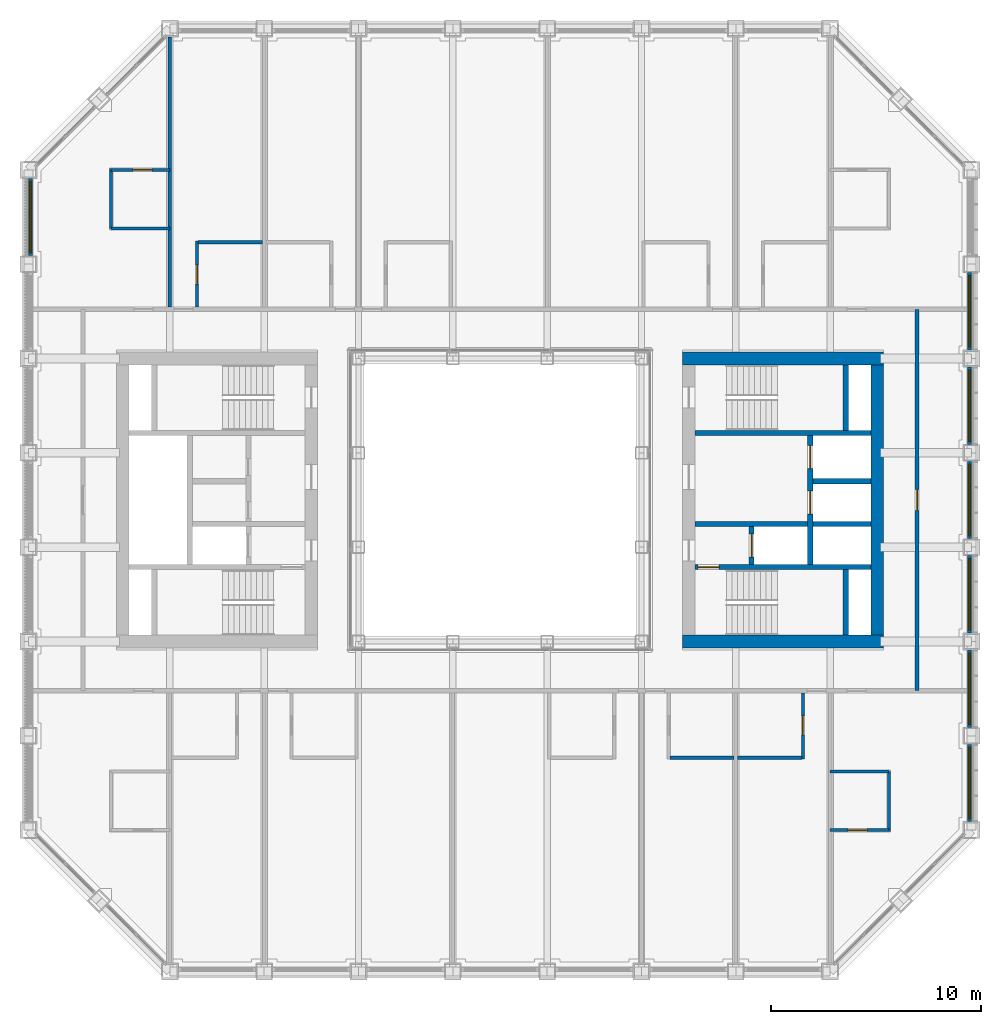
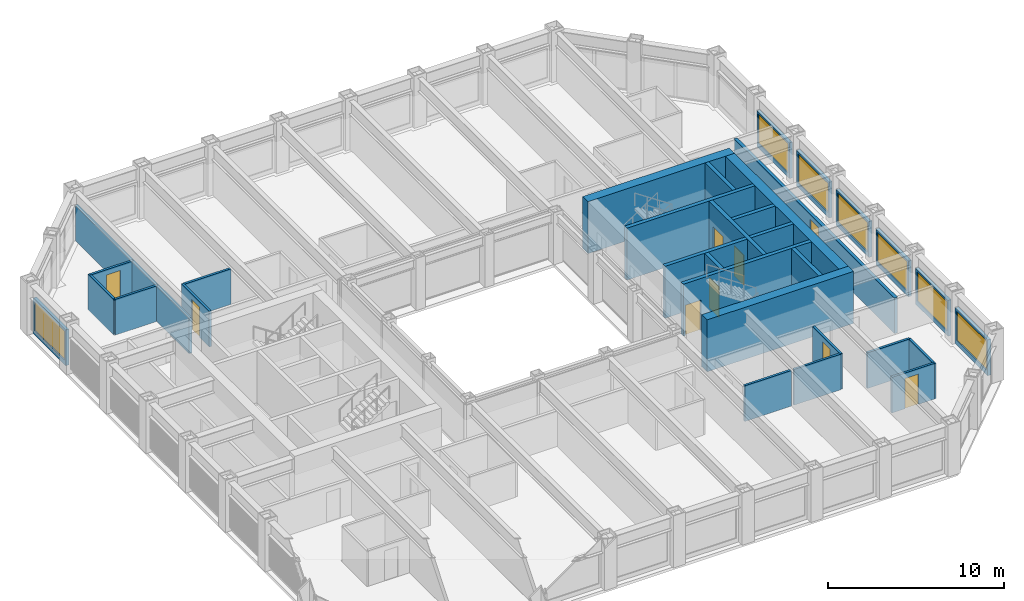
# One storey, part 12 of 17: 32 walls, 9 doors, 7 windows, 16 openings.
"""IFC4 building model written with IfcOpenShell, lengths in metres."""

import ifcopenshell
import ifcopenshell.guid

model = None  # the IFC model being written
_history = None  # IfcOwnerHistory: only IFC2X3 demands one
_inside = {}  # id of a spatial element -> (the spatial element, [elements in it])
_under = {}  # id of a project, library or spatial element -> (it, [spatial elements below it])
_declared = {}  # id of a project -> (the project, [libraries it declares])
_typed = {}  # id of a type object -> (the type object, [elements of that type])
_made_of = {}  # id of a material, layer set ... -> (it, [elements and type objects made of it])


def new_model(schema):
    """Start an empty IFC model of exactly this schema.

    Asked for "IFC4X3", IfcOpenShell would pick the latest addendum, in which some entities
    have other attributes; the version numbers below select the first issue.
    IFC2X3 requires an IfcOwnerHistory on every rooted entity: one is made here for all.
    """
    global model, _history
    if schema == "IFC4X3":
        model = ifcopenshell.file(schema_version=(4, 3, 0, 0))
    else:
        model = ifcopenshell.file(schema=schema)
    _inside.clear()
    _under.clear()
    _declared.clear()
    _typed.clear()
    _made_of.clear()
    _history = None
    if model.schema == "IFC2X3":
        org = make("IfcOrganization", Name="unknown")
        user = make(
            "IfcPersonAndOrganization",
            ThePerson=make("IfcPerson", FamilyName="unknown"),
            TheOrganization=org,
        )
        app = make(
            "IfcApplication",
            ApplicationDeveloper=org,
            Version="unknown",
            ApplicationFullName="unknown",
            ApplicationIdentifier="unknown",
        )
        _history = make(
            "IfcOwnerHistory",
            OwningUser=user,
            OwningApplication=app,
            ChangeAction="ADDED",
            CreationDate=0,
        )
    return model


def make(cls, **values):
    """One entity of the class cls with the attributes given. An attribute that is None is left unset."""
    return model.create_entity(
        cls, **{name: value for name, value in values.items() if value is not None}
    )


def rooted(cls, **values):
    """An entity with a GlobalId (a new one), such as an element, a storey or a relation."""
    return make(cls, GlobalId=ifcopenshell.guid.new(), OwnerHistory=_history, **values)


def si_unit(unit_type, name, prefix=None):
    """IfcSIUnit, for example si_unit("LENGTHUNIT", "METRE", prefix="MILLI")."""
    return make("IfcSIUnit", UnitType=unit_type, Prefix=prefix, Name=name)


def assignment(units):
    """IfcUnitAssignment: the units of a project."""
    return None if units is None else make("IfcUnitAssignment", Units=units)


def point(xyz):
    """IfcCartesianPoint."""
    return None if xyz is None else make("IfcCartesianPoint", Coordinates=xyz)


def direction(xyz):
    """IfcDirection."""
    return None if xyz is None else make("IfcDirection", DirectionRatios=xyz)


def frame(location, z_axis=None, x_axis=None):
    """IfcAxis2Placement3D, a coordinate frame: its origin and axes. An axis left out is left unset."""
    return make(
        "IfcAxis2Placement3D",
        Location=point(location),
        Axis=direction(z_axis),
        RefDirection=direction(x_axis),
    )


def frame_2d(location, x_axis=None):
    """IfcAxis2Placement2D, a coordinate frame in the plane: its origin and x axis."""
    return make(
        "IfcAxis2Placement2D", Location=point(location), RefDirection=direction(x_axis)
    )


def origin():
    """The frame at (0, 0, 0) with its axes left unset."""
    return frame((0.0, 0.0, 0.0))


def place(relative_to, where):
    """IfcLocalPlacement: puts the frame where relative to a parent placement (None: the world)."""
    return make(
        "IfcLocalPlacement", PlacementRelTo=relative_to, RelativePlacement=where
    )


def context(
    kind, dimensions, precision=None, world=None, true_north=None, identifier=None
):
    """IfcGeometricRepresentationContext, for example the 3D "Model" context."""
    return make(
        "IfcGeometricRepresentationContext",
        ContextIdentifier=identifier,
        ContextType=kind,
        CoordinateSpaceDimension=dimensions,
        Precision=precision,
        WorldCoordinateSystem=world,
        TrueNorth=true_north,
    )


def subcontext(parent, identifier, kind, view, scale=None):
    """IfcGeometricRepresentationSubContext, for example "Body" below "Model"."""
    return make(
        "IfcGeometricRepresentationSubContext",
        ContextIdentifier=identifier,
        ContextType=kind,
        ParentContext=parent,
        TargetScale=scale,
        TargetView=view,
    )


def project(units=None, contexts=None):
    """IfcProject with its units and contexts."""
    return rooted(
        "IfcProject",
        Name="project",
        RepresentationContexts=contexts,
        UnitsInContext=assignment(units),
    )


def spatial(cls, under=None, at=None, **own):
    """A site, building, storey or space (cls), placed at a placement, below another one or the project."""
    s = rooted(cls, ObjectPlacement=at, **own)
    if under is not None:
        _under.setdefault(under.id(), (under, []))[1].append(s)
    return s


def profile(cls, at=None, kind="AREA", **sizes):
    """A parametric profile (cls). Its sizes go by their IFC names, for example OverallWidth=200.0."""
    return make(cls, ProfileType=kind, Position=at, **sizes)


def rectangle(**sizes):
    """IfcRectangleProfileDef."""
    return profile("IfcRectangleProfileDef", **sizes)


def extrude(swept, where, along, depth):
    """IfcExtrudedAreaSolid: the profile swept, set in the frame where, extruded along a direction by depth."""
    return make(
        "IfcExtrudedAreaSolid",
        SweptArea=swept,
        Position=where,
        ExtrudedDirection=direction(along),
        Depth=depth,
    )


def shape(context_of_items, identifier, shape_type, items):
    """IfcShapeRepresentation: the items that make up one representation, for example the "Body"."""
    return make(
        "IfcShapeRepresentation",
        ContextOfItems=context_of_items,
        RepresentationIdentifier=identifier,
        RepresentationType=shape_type,
        Items=items,
    )


def material(Name=None, Category=None):
    """IfcMaterial."""
    return make("IfcMaterial", Name=Name, Category=Category)


def layer(
    of_material, thickness, ventilated=None, Name=None, Category=None, Priority=None
):
    """IfcMaterialLayer: one layer of a wall or slab, of a material (None: an air gap)."""
    return make(
        "IfcMaterialLayer",
        Material=of_material,
        LayerThickness=thickness,
        IsVentilated=ventilated,
        Name=Name,
        Category=Category,
        Priority=Priority,
    )


def layer_set(layers, Name=None):
    """IfcMaterialLayerSet."""
    return make("IfcMaterialLayerSet", MaterialLayers=layers, LayerSetName=Name)


def made_of(thing, what):
    """Note that an element or type object is made of a material, layer set ...; save() writes the relation."""
    if what is not None:
        _made_of.setdefault(what.id(), (what, []))[1].append(thing)
    return thing


def type_object(cls, material=None, **own):
    """A type object (cls), such as IfcWallType, which elements share."""
    return made_of(rooted(cls, **own), material)


def element(
    cls,
    number,
    at=None,
    inside=None,
    cuts=None,
    type_object=None,
    material=None,
    context=None,
    identifier="Body",
    shape_type=None,
    held_by="IfcProductDefinitionShape",
    body=None,
    shapes=None,
    **own,
):
    """One element of the class cls, such as IfcWall. Its Tag is "e" and its number.

    at: its placement. inside: the storey or other place that contains it. cuts: it is an
    opening in that element (IfcRelVoidsElement). A single representation is given by context,
    identifier, shape_type and body (its items); several are given by shapes. held_by: the class
    of the entity that holds the representations. save() writes the other relations.
    """
    e = rooted(cls, Tag="e%d" % number, ObjectPlacement=at, **own)
    if body is not None:
        shapes = [shape(context, identifier, shape_type, body)]
    if shapes is not None:
        e.Representation = make(held_by, Representations=shapes)
    if inside is not None:
        _inside.setdefault(inside.id(), (inside, []))[1].append(e)
    if cuts is not None:
        rooted(
            "IfcRelVoidsElement", RelatingBuildingElement=cuts, RelatedOpeningElement=e
        )
    if type_object is not None:
        _typed.setdefault(type_object.id(), (type_object, []))[1].append(e)
    return made_of(e, material)


def fill(opening, filler):
    """IfcRelFillsElement: the door or window that sits in an opening."""
    return rooted(
        "IfcRelFillsElement",
        RelatingOpeningElement=opening,
        RelatedBuildingElement=filler,
    )


def aggregate(whole, parts):
    """IfcRelAggregates: a whole, such as a stair, and the parts it consists of."""
    return rooted("IfcRelAggregates", RelatingObject=whole, RelatedObjects=parts)


def save(model, path):
    """Write the relations noted so far, then the file.

    IfcRelAggregates (storeys below a building ...), IfcRelContainedInSpatialStructure (elements
    in a storey), IfcRelDefinesByType, IfcRelAssociatesMaterial and IfcRelDeclares: one each for
    every whole, place, type object, material and project.
    """
    for whole, parts in _under.values():
        aggregate(whole, parts)
    for where, things in _inside.values():
        rooted(
            "IfcRelContainedInSpatialStructure",
            RelatedElements=things,
            RelatingStructure=where,
        )
    for kind, things in _typed.values():
        rooted("IfcRelDefinesByType", RelatedObjects=things, RelatingType=kind)
    for what, things in _made_of.values():
        rooted("IfcRelAssociatesMaterial", RelatedObjects=things, RelatingMaterial=what)
    for by, libraries in _declared.values():
        rooted("IfcRelDeclares", RelatingContext=by, RelatedDefinitions=libraries)
    model.write(path)


model = new_model("IFC4")

# Units and contexts
model_context = context("Model", 3, precision=1e-05, world=origin(), true_north=direction((0.0, 1.0)))
body_context = subcontext(model_context, "Body", "Model", "MODEL_VIEW")
ifc_project = project(units=[si_unit("LENGTHUNIT", "METRE"), si_unit("AREAUNIT", "SQUARE_METRE"), si_unit("VOLUMEUNIT", "CUBIC_METRE"), si_unit("PLANEANGLEUNIT", "RADIAN"), si_unit("MASSUNIT", "GRAM", prefix="KILO")], contexts=[model_context])

# Site, building, storey
site_placement = place(None, origin())
site = spatial("IfcSite", under=ifc_project, at=site_placement, CompositionType="ELEMENT")
building_placement = place(site_placement, origin())
building = spatial("IfcBuilding", under=site, at=building_placement, Name="Msasa Ring Tower", CompositionType="ELEMENT")
storey_placement = place(building_placement, frame((0.0, 0.0, 136.39990234375)))
storey = spatial("IfcBuildingStorey", under=building, at=storey_placement, Name="L35", CompositionType="ELEMENT", Elevation=136.39990234375)

# Walls
ifc_material_1 = material(Name="Concrete C60/75", Category="concrete")
ifc_layer_1 = layer(ifc_material_1, 0.60009765625)
ifc_layer_set_1 = layer_set([ifc_layer_1], Name="CW2 CORE WALL 600")
wall_type_1 = type_object("IfcWallType", Name="CW2 CORE WALL 600", PredefinedType="SHEAR", material=ifc_layer_set_1)
for number, where, z_axis, x_axis, name in (
    (1, (8.699951171875, -6.75, 0.0), (0.0, 0.0, 1.0), (1.0, 0.0, 0.0), "E core wall S L35"),
    (2, (8.699951171875, 6.75, 0.0), (0.0, 0.0, 1.0), (1.0, 0.0, 0.0), "E core wall N L35"),
):
    element("IfcWall", number, at=place(storey_placement, frame(where, z_axis=z_axis, x_axis=x_axis)), inside=storey, type_object=wall_type_1, Name=name, PredefinedType="SHEAR", context=body_context, shape_type="SweptSolid", body=[
        extrude(rectangle(XDim=9.60009765625, YDim=0.60009765625, at=frame_2d((4.800048828125, 0.0))), origin(), (0.0, 0.0, 1.0), 3.60009765625),
    ])
wall_1_placement = place(storey_placement, frame((18.0, -6.449951171875, 0.0), z_axis=(0.0, 0.0, 1.0), x_axis=(0.0, 1.0, 0.0)))
element("IfcWall", 3, at=wall_1_placement, inside=storey, type_object=wall_type_1, Name="E core wall E L35", PredefinedType="SHEAR", context=body_context, shape_type="SweptSolid", body=[
    extrude(rectangle(XDim=12.89990234375, YDim=0.60009765625, at=frame_2d((6.449951171875, 0.0))), origin(), (0.0, 0.0, 1.0), 3.60009765625),
])

# Wall, opening, door
ifc_material_2 = material(Name="Concrete C60/75", Category="concrete")
ifc_layer_2 = layer(ifc_material_2, 0.25)
ifc_layer_set_2 = layer_set([ifc_layer_2], Name="CW4 CORE INNER WALL 250")
wall_type_2 = type_object("IfcWallType", Name="CW4 CORE INNER WALL 250", PredefinedType="SHEAR", material=ifc_layer_set_2)
wall_2_placement = place(storey_placement, frame((9.300048828125, -3.199951171875, 0.0), z_axis=(0.0, 0.0, 1.0), x_axis=(1.0, 0.0, 0.0)))
wall_2 = element("IfcWall", 4, at=wall_2_placement, inside=storey, type_object=wall_type_2, Name="E core wall STAIRA L35", PredefinedType="SHEAR", context=body_context, shape_type="SweptSolid", body=[
    extrude(rectangle(XDim=8.39990234375, YDim=0.25, at=frame_2d((4.199951171875, 0.0))), origin(), (0.0, 0.0, 1.0), 3.60009765625),
])
opening_1_placement = place(wall_2_placement, frame((0.14990234375, 0.0, 0.0)))
opening_1 = element("IfcOpeningElement", 5, at=opening_1_placement, cuts=wall_2, Name="Opening HB-026", PredefinedType="OPENING", context=body_context, shape_type="SweptSolid", body=[
    extrude(rectangle(XDim=1.0, YDim=2.10009765625, at=frame_2d((0.5, 1.050048828125))), frame((0.0, 0.135009765625, 0.0), z_axis=(0.0, -1.0, 0.0), x_axis=(1.0, 0.0, 0.0)), (0.0, 0.0, 1.0), 0.27001953125),
])
ifc_material_3 = material(Name="Timber door leaf in a steel frame", Category="steel")
door_type_1 = type_object("IfcDoorType", Name="D6 STAIR DOOR 1000x2100", OperationType="SINGLE_SWING_LEFT", PredefinedType="DOOR", material=ifc_material_3)
door_1_placement = place(opening_1_placement, origin())
door_1 = element("IfcDoor", 6, at=door_1_placement, inside=storey, type_object=door_type_1, Name="Door L35-ESTA", OperationType="SINGLE_SWING_LEFT", OverallHeight=2.10009765625, OverallWidth=1.0, PredefinedType="DOOR", context=body_context, shape_type="SweptSolid", body=[
    extrude(rectangle(XDim=1.0, YDim=2.10009765625, at=frame_2d((0.5, 1.050048828125))), frame((0.0, 0.02490234375, 0.0), z_axis=(0.0, -1.0, 0.0), x_axis=(1.0, 0.0, 0.0)), (0.0, 0.0, 1.0), 0.050048828125),
])
fill(opening_1, door_1)

# Walls
wall_3_placement = place(storey_placement, frame((9.300048828125, 3.199951171875, 0.0), z_axis=(0.0, 0.0, 1.0), x_axis=(1.0, 0.0, 0.0)))
element("IfcWall", 7, at=wall_3_placement, inside=storey, type_object=wall_type_2, Name="E core wall STAIRB L35", PredefinedType="SHEAR", context=body_context, shape_type="SweptSolid", body=[
    extrude(rectangle(XDim=8.39990234375, YDim=0.25, at=frame_2d((4.199951171875, 0.0))), origin(), (0.0, 0.0, 1.0), 3.60009765625),
])
for number, where, z_axis, x_axis, name in (
    (8, (16.5, -6.449951171875, 0.0), (0.0, 0.0, 1.0), (0.0, 1.0, 0.0), "E core wall RISERA L35"),
    (9, (16.5, 3.324951171875, 0.0), (0.0, 0.0, 1.0), (0.0, 1.0, 0.0), "E core wall RISERB L35"),
):
    element("IfcWall", number, at=place(storey_placement, frame(where, z_axis=z_axis, x_axis=x_axis)), inside=storey, type_object=wall_type_2, Name=name, PredefinedType="SHEAR", context=body_context, shape_type="SweptSolid", body=[
        extrude(rectangle(XDim=3.125, YDim=0.25, at=frame_2d((1.5625, 0.0))), origin(), (0.0, 0.0, 1.0), 3.60009765625),
    ])
wall_4_placement = place(storey_placement, frame((9.300048828125, -1.14990234375, 0.0), z_axis=(0.0, 0.0, 1.0), x_axis=(1.0, 0.0, 0.0)))
element("IfcWall", 10, at=wall_4_placement, inside=storey, type_object=wall_type_2, Name="E core wall FFL L35", PredefinedType="SHEAR", context=body_context, shape_type="SweptSolid", body=[
    extrude(rectangle(XDim=5.375, YDim=0.25, at=frame_2d((2.6875, 0.0))), origin(), (0.0, 0.0, 1.0), 3.60009765625),
])

# Wall, opening, door
wall_5_placement = place(storey_placement, frame((12.0, -3.074951171875, 0.0), z_axis=(0.0, 0.0, 1.0), x_axis=(0.0, 1.0, 0.0)))
wall_5 = element("IfcWall", 11, at=wall_5_placement, inside=storey, type_object=wall_type_2, Name="E core wall LOBBY L35", PredefinedType="SHEAR", context=body_context, shape_type="SweptSolid", body=[
    extrude(rectangle(XDim=1.800048828125, YDim=0.25, at=frame_2d((0.89990234375, 0.0))), origin(), (0.0, 0.0, 1.0), 3.60009765625),
])
opening_2_placement = place(wall_5_placement, frame((0.35009765625, 0.0, 0.0)))
opening_2 = element("IfcOpeningElement", 12, at=opening_2_placement, cuts=wall_5, Name="Opening LD1", PredefinedType="OPENING", context=body_context, shape_type="SweptSolid", body=[
    extrude(rectangle(XDim=1.10009765625, YDim=2.10009765625, at=frame_2d((0.550048828125, 1.050048828125))), frame((0.0, 0.135009765625, 0.0), z_axis=(0.0, -1.0, 0.0), x_axis=(1.0, 0.0, 0.0)), (0.0, 0.0, 1.0), 0.27001953125),
])
ifc_material_4 = material(Name="Stainless steel lift landing door", Category="steel")
door_type_2 = type_object("IfcDoorType", Name="LD1 LIFT LANDING DOOR 1100x2100", OperationType="DOUBLE_DOOR_SLIDING", PredefinedType="DOOR", material=ifc_material_4)
door_2_placement = place(opening_2_placement, origin())
door_2 = element("IfcDoor", 13, at=door_2_placement, inside=storey, type_object=door_type_2, Name="Lift landing door FL-E L35", OperationType="DOUBLE_DOOR_SLIDING", OverallHeight=2.10009765625, OverallWidth=1.10009765625, PredefinedType="DOOR", context=body_context, shape_type="SweptSolid", body=[
    extrude(rectangle(XDim=1.10009765625, YDim=2.10009765625, at=frame_2d((0.550048828125, 1.050048828125))), frame((0.0, 0.02490234375, 0.0), z_axis=(0.0, -1.0, 0.0), x_axis=(1.0, 0.0, 0.0)), (0.0, 0.0, 1.0), 0.050048828125),
])
fill(opening_2, door_2)

# Wall, openings, doors
wall_6_placement = place(storey_placement, frame((14.800048828125, -3.074951171875, 0.0), z_axis=(0.0, 0.0, 1.0), x_axis=(0.0, 1.0, 0.0)))
wall_6 = element("IfcWall", 14, at=wall_6_placement, inside=storey, type_object=wall_type_2, Name="E core wall SHAFT L35", PredefinedType="SHEAR", context=body_context, shape_type="SweptSolid", body=[
    extrude(rectangle(XDim=6.14990234375, YDim=0.25, at=frame_2d((3.074951171875, 0.0))), origin(), (0.0, 0.0, 1.0), 3.60009765625),
])
opening_3_placement = place(wall_6_placement, frame((2.39990234375, 0.0, 0.0)))
opening_3 = element("IfcOpeningElement", 15, at=opening_3_placement, cuts=wall_6, Name="Opening LD1", PredefinedType="OPENING", context=body_context, shape_type="SweptSolid", body=[
    extrude(rectangle(XDim=1.10009765625, YDim=2.10009765625, at=frame_2d((0.550048828125, 1.050048828125))), frame((0.0, 0.135009765625, 0.0), z_axis=(0.0, -1.0, 0.0), x_axis=(1.0, 0.0, 0.0)), (0.0, 0.0, 1.0), 0.27001953125),
])
opening_4_placement = place(wall_6_placement, frame((4.574951171875, 0.0, 0.0)))
opening_4 = element("IfcOpeningElement", 16, at=opening_4_placement, cuts=wall_6, Name="Opening LD1", PredefinedType="OPENING", context=body_context, shape_type="SweptSolid", body=[
    extrude(rectangle(XDim=1.10009765625, YDim=2.10009765625, at=frame_2d((0.550048828125, 1.050048828125))), frame((0.0, 0.135009765625, 0.0), z_axis=(0.0, -1.0, 0.0), x_axis=(1.0, 0.0, 0.0)), (0.0, 0.0, 1.0), 0.27001953125),
])
door_3_placement = place(opening_3_placement, origin())
door_3 = element("IfcDoor", 17, at=door_3_placement, inside=storey, type_object=door_type_2, Name="Lift landing door PL-H1 L35", OperationType="DOUBLE_DOOR_SLIDING", OverallHeight=2.10009765625, OverallWidth=1.10009765625, PredefinedType="DOOR", context=body_context, shape_type="SweptSolid", body=[
    extrude(rectangle(XDim=1.10009765625, YDim=2.10009765625, at=frame_2d((0.550048828125, 1.050048828125))), frame((0.0, 0.02490234375, 0.0), z_axis=(0.0, -1.0, 0.0), x_axis=(1.0, 0.0, 0.0)), (0.0, 0.0, 1.0), 0.050048828125),
])
fill(opening_3, door_3)
door_4_placement = place(opening_4_placement, origin())
door_4 = element("IfcDoor", 18, at=door_4_placement, inside=storey, type_object=door_type_2, Name="Lift landing door PL-H2 L35", OperationType="DOUBLE_DOOR_SLIDING", OverallHeight=2.10009765625, OverallWidth=1.10009765625, PredefinedType="DOOR", context=body_context, shape_type="SweptSolid", body=[
    extrude(rectangle(XDim=1.10009765625, YDim=2.10009765625, at=frame_2d((0.550048828125, 1.050048828125))), frame((0.0, 0.02490234375, 0.0), z_axis=(0.0, -1.0, 0.0), x_axis=(1.0, 0.0, 0.0)), (0.0, 0.0, 1.0), 0.050048828125),
])
fill(opening_4, door_4)

# Walls
for number, where, z_axis, x_axis, name in (
    (19, (14.925048828125, -1.14990234375, 0.0), (0.0, 0.0, 1.0), (1.0, 0.0, 0.0), "E core wall HSEP L35"),
    (20, (14.925048828125, 0.89990234375, 0.0), (0.0, 0.0, 1.0), (1.0, 0.0, 0.0), "E core wall HLIFT L35"),
):
    element("IfcWall", number, at=place(storey_placement, frame(where, z_axis=z_axis, x_axis=x_axis)), inside=storey, type_object=wall_type_2, Name=name, PredefinedType="SHEAR", context=body_context, shape_type="SweptSolid", body=[
        extrude(rectangle(XDim=2.77490234375, YDim=0.25, at=frame_2d((1.387451171875, 0.0))), origin(), (0.0, 0.0, 1.0), 3.60009765625),
    ])

# Wall, opening, window
ifc_material_5 = material(Name="Terracotta rainscreen on blockwork", Category="masonry")
ifc_layer_3 = layer(ifc_material_5, 0.199951171875)
ifc_layer_set_3 = layer_set([ifc_layer_3], Name="FW1 TERRACOTTA-LINED INFILL BAY WALL 200")
wall_type_3 = type_object("IfcWallType", Name="FW1 TERRACOTTA-LINED INFILL BAY WALL 200", PredefinedType="SOLIDWALL", material=ifc_layer_set_3)
wall_7_placement = place(storey_placement, frame((22.39990234375, -15.344970703125, 0.0), z_axis=(0.0, 0.0, 1.0), x_axis=(0.0, 1.0, 0.0)))
wall_7 = element("IfcWall", 21, at=wall_7_placement, inside=storey, type_object=wall_type_3, Name="Infill bay wall E L35 09", PredefinedType="SOLIDWALL", context=body_context, shape_type="SweptSolid", body=[
    extrude(rectangle(XDim=3.68994140625, YDim=0.199951171875, at=frame_2d((1.844970703125, 0.0))), origin(), (0.0, 0.0, 1.0), 2.47900390625),
])
opening_5_placement = place(wall_7_placement, frame((0.14501953125, 0.0, 0.300048828125)))
opening_5 = element("IfcOpeningElement", 22, at=opening_5_placement, cuts=wall_7, Name="Opening WN2", PredefinedType="OPENING", context=body_context, shape_type="SweptSolid", body=[
    extrude(rectangle(XDim=3.39990234375, YDim=2.029052734375, at=frame_2d((1.699951171875, 1.0146484375))), frame((0.0, 0.10986328125, 0.0), z_axis=(0.0, -1.0, 0.0), x_axis=(1.0, 0.0, 0.0)), (0.0, 0.0, 1.0), 0.219970703125),
])
ifc_material_6 = material(Name="Aluminium frame with clear glass", Category="aluminium")
window_type = type_object("IfcWindowType", Name="WN2 GUEST ROOM WINDOW 3400x2029", PartitioningType="SINGLE_PANEL", PredefinedType="WINDOW", material=ifc_material_6)
window_1_placement = place(opening_5_placement, origin())
window_1 = element("IfcWindow", 23, at=window_1_placement, inside=storey, type_object=window_type, Name="Window E L35 09", OverallHeight=2.029052734375, OverallWidth=3.39990234375, PartitioningType="SINGLE_PANEL", PredefinedType="WINDOW", context=body_context, shape_type="SweptSolid", body=[
    extrude(rectangle(XDim=3.39990234375, YDim=2.029052734375, at=frame_2d((1.699951171875, 1.0146484375))), frame((0.0, 0.030029296875, 0.0), z_axis=(0.0, -1.0, 0.0), x_axis=(1.0, 0.0, 0.0)), (0.0, 0.0, 1.0), 0.06005859375),
])
fill(opening_5, window_1)

wall_8_placement = place(storey_placement, frame((22.39990234375, -10.844970703125, 0.0), z_axis=(0.0, 0.0, 1.0), x_axis=(0.0, 1.0, 0.0)))
wall_8 = element("IfcWall", 24, at=wall_8_placement, inside=storey, type_object=wall_type_3, Name="Infill bay wall E L35 10", PredefinedType="SOLIDWALL", context=body_context, shape_type="SweptSolid", body=[
    extrude(rectangle(XDim=3.68994140625, YDim=0.199951171875, at=frame_2d((1.844970703125, 0.0))), origin(), (0.0, 0.0, 1.0), 2.47900390625),
])
opening_6_placement = place(wall_8_placement, frame((0.14501953125, 0.0, 0.300048828125)))
opening_6 = element("IfcOpeningElement", 25, at=opening_6_placement, cuts=wall_8, Name="Opening WN2", PredefinedType="OPENING", context=body_context, shape_type="SweptSolid", body=[
    extrude(rectangle(XDim=3.39990234375, YDim=2.029052734375, at=frame_2d((1.699951171875, 1.0146484375))), frame((0.0, 0.10986328125, 0.0), z_axis=(0.0, -1.0, 0.0), x_axis=(1.0, 0.0, 0.0)), (0.0, 0.0, 1.0), 0.219970703125),
])
window_2_placement = place(opening_6_placement, origin())
window_2 = element("IfcWindow", 26, at=window_2_placement, inside=storey, type_object=window_type, Name="Window E L35 10", OverallHeight=2.029052734375, OverallWidth=3.39990234375, PartitioningType="SINGLE_PANEL", PredefinedType="WINDOW", context=body_context, shape_type="SweptSolid", body=[
    extrude(rectangle(XDim=3.39990234375, YDim=2.029052734375, at=frame_2d((1.699951171875, 1.0146484375))), frame((0.0, 0.030029296875, 0.0), z_axis=(0.0, -1.0, 0.0), x_axis=(1.0, 0.0, 0.0)), (0.0, 0.0, 1.0), 0.06005859375),
])
fill(opening_6, window_2)

wall_9_placement = place(storey_placement, frame((22.39990234375, -6.344970703125, 0.0), z_axis=(0.0, 0.0, 1.0), x_axis=(0.0, 1.0, 0.0)))
wall_9 = element("IfcWall", 27, at=wall_9_placement, inside=storey, type_object=wall_type_3, Name="Infill bay wall E L35 11", PredefinedType="SOLIDWALL", context=body_context, shape_type="SweptSolid", body=[
    extrude(rectangle(XDim=3.68994140625, YDim=0.199951171875, at=frame_2d((1.844970703125, 0.0))), origin(), (0.0, 0.0, 1.0), 2.47900390625),
])
opening_7_placement = place(wall_9_placement, frame((0.14501953125, 0.0, 0.300048828125)))
opening_7 = element("IfcOpeningElement", 28, at=opening_7_placement, cuts=wall_9, Name="Opening WN2", PredefinedType="OPENING", context=body_context, shape_type="SweptSolid", body=[
    extrude(rectangle(XDim=3.39990234375, YDim=2.029052734375, at=frame_2d((1.699951171875, 1.0146484375))), frame((0.0, 0.10986328125, 0.0), z_axis=(0.0, -1.0, 0.0), x_axis=(1.0, 0.0, 0.0)), (0.0, 0.0, 1.0), 0.219970703125),
])
window_3_placement = place(opening_7_placement, origin())
window_3 = element("IfcWindow", 29, at=window_3_placement, inside=storey, type_object=window_type, Name="Window E L35 11", OverallHeight=2.029052734375, OverallWidth=3.39990234375, PartitioningType="SINGLE_PANEL", PredefinedType="WINDOW", context=body_context, shape_type="SweptSolid", body=[
    extrude(rectangle(XDim=3.39990234375, YDim=2.029052734375, at=frame_2d((1.699951171875, 1.0146484375))), frame((0.0, 0.030029296875, 0.0), z_axis=(0.0, -1.0, 0.0), x_axis=(1.0, 0.0, 0.0)), (0.0, 0.0, 1.0), 0.06005859375),
])
fill(opening_7, window_3)

wall_10_placement = place(storey_placement, frame((22.39990234375, -1.844970703125, 0.0), z_axis=(0.0, 0.0, 1.0), x_axis=(0.0, 1.0, 0.0)))
wall_10 = element("IfcWall", 30, at=wall_10_placement, inside=storey, type_object=wall_type_3, Name="Infill bay wall E L35 12", PredefinedType="SOLIDWALL", context=body_context, shape_type="SweptSolid", body=[
    extrude(rectangle(XDim=3.68994140625, YDim=0.199951171875, at=frame_2d((1.844970703125, 0.0))), origin(), (0.0, 0.0, 1.0), 2.47900390625),
])
opening_8_placement = place(wall_10_placement, frame((0.14501953125, 0.0, 0.300048828125)))
opening_8 = element("IfcOpeningElement", 31, at=opening_8_placement, cuts=wall_10, Name="Opening WN2", PredefinedType="OPENING", context=body_context, shape_type="SweptSolid", body=[
    extrude(rectangle(XDim=3.39990234375, YDim=2.029052734375, at=frame_2d((1.699951171875, 1.0146484375))), frame((0.0, 0.10986328125, 0.0), z_axis=(0.0, -1.0, 0.0), x_axis=(1.0, 0.0, 0.0)), (0.0, 0.0, 1.0), 0.219970703125),
])
window_4_placement = place(opening_8_placement, origin())
window_4 = element("IfcWindow", 32, at=window_4_placement, inside=storey, type_object=window_type, Name="Window E L35 12", OverallHeight=2.029052734375, OverallWidth=3.39990234375, PartitioningType="SINGLE_PANEL", PredefinedType="WINDOW", context=body_context, shape_type="SweptSolid", body=[
    extrude(rectangle(XDim=3.39990234375, YDim=2.029052734375, at=frame_2d((1.699951171875, 1.0146484375))), frame((0.0, 0.030029296875, 0.0), z_axis=(0.0, -1.0, 0.0), x_axis=(1.0, 0.0, 0.0)), (0.0, 0.0, 1.0), 0.06005859375),
])
fill(opening_8, window_4)

wall_11_placement = place(storey_placement, frame((22.39990234375, 2.655029296875, 0.0), z_axis=(0.0, 0.0, 1.0), x_axis=(0.0, 1.0, 0.0)))
wall_11 = element("IfcWall", 33, at=wall_11_placement, inside=storey, type_object=wall_type_3, Name="Infill bay wall E L35 13", PredefinedType="SOLIDWALL", context=body_context, shape_type="SweptSolid", body=[
    extrude(rectangle(XDim=3.68994140625, YDim=0.199951171875, at=frame_2d((1.844970703125, 0.0))), origin(), (0.0, 0.0, 1.0), 2.47900390625),
])
opening_9_placement = place(wall_11_placement, frame((0.14501953125, 0.0, 0.300048828125)))
opening_9 = element("IfcOpeningElement", 34, at=opening_9_placement, cuts=wall_11, Name="Opening WN2", PredefinedType="OPENING", context=body_context, shape_type="SweptSolid", body=[
    extrude(rectangle(XDim=3.39990234375, YDim=2.029052734375, at=frame_2d((1.699951171875, 1.0146484375))), frame((0.0, 0.10986328125, 0.0), z_axis=(0.0, -1.0, 0.0), x_axis=(1.0, 0.0, 0.0)), (0.0, 0.0, 1.0), 0.219970703125),
])
window_5_placement = place(opening_9_placement, origin())
window_5 = element("IfcWindow", 35, at=window_5_placement, inside=storey, type_object=window_type, Name="Window E L35 13", OverallHeight=2.029052734375, OverallWidth=3.39990234375, PartitioningType="SINGLE_PANEL", PredefinedType="WINDOW", context=body_context, shape_type="SweptSolid", body=[
    extrude(rectangle(XDim=3.39990234375, YDim=2.029052734375, at=frame_2d((1.699951171875, 1.0146484375))), frame((0.0, 0.030029296875, 0.0), z_axis=(0.0, -1.0, 0.0), x_axis=(1.0, 0.0, 0.0)), (0.0, 0.0, 1.0), 0.06005859375),
])
fill(opening_9, window_5)

wall_12_placement = place(storey_placement, frame((22.39990234375, 7.155029296875, 0.0), z_axis=(0.0, 0.0, 1.0), x_axis=(0.0, 1.0, 0.0)))
wall_12 = element("IfcWall", 36, at=wall_12_placement, inside=storey, type_object=wall_type_3, Name="Infill bay wall E L35 14", PredefinedType="SOLIDWALL", context=body_context, shape_type="SweptSolid", body=[
    extrude(rectangle(XDim=3.68994140625, YDim=0.199951171875, at=frame_2d((1.844970703125, 0.0))), origin(), (0.0, 0.0, 1.0), 2.47900390625),
])
opening_10_placement = place(wall_12_placement, frame((0.14501953125, 0.0, 0.300048828125)))
opening_10 = element("IfcOpeningElement", 37, at=opening_10_placement, cuts=wall_12, Name="Opening WN2", PredefinedType="OPENING", context=body_context, shape_type="SweptSolid", body=[
    extrude(rectangle(XDim=3.39990234375, YDim=2.029052734375, at=frame_2d((1.699951171875, 1.0146484375))), frame((0.0, 0.10986328125, 0.0), z_axis=(0.0, -1.0, 0.0), x_axis=(1.0, 0.0, 0.0)), (0.0, 0.0, 1.0), 0.219970703125),
])
window_6_placement = place(opening_10_placement, origin())
window_6 = element("IfcWindow", 38, at=window_6_placement, inside=storey, type_object=window_type, Name="Window E L35 14", OverallHeight=2.029052734375, OverallWidth=3.39990234375, PartitioningType="SINGLE_PANEL", PredefinedType="WINDOW", context=body_context, shape_type="SweptSolid", body=[
    extrude(rectangle(XDim=3.39990234375, YDim=2.029052734375, at=frame_2d((1.699951171875, 1.0146484375))), frame((0.0, 0.030029296875, 0.0), z_axis=(0.0, -1.0, 0.0), x_axis=(1.0, 0.0, 0.0)), (0.0, 0.0, 1.0), 0.06005859375),
])
fill(opening_10, window_6)

wall_13_placement = place(storey_placement, frame((-22.39990234375, 11.655029296875, 0.0), z_axis=(0.0, 0.0, 1.0), x_axis=(0.0, 1.0, 0.0)))
wall_13 = element("IfcWall", 39, at=wall_13_placement, inside=storey, type_object=wall_type_3, Name="Infill bay wall W L35 33", PredefinedType="SOLIDWALL", context=body_context, shape_type="SweptSolid", body=[
    extrude(rectangle(XDim=3.68994140625, YDim=0.199951171875, at=frame_2d((1.844970703125, 0.0))), origin(), (0.0, 0.0, 1.0), 2.47900390625),
])
opening_11_placement = place(wall_13_placement, frame((0.14501953125, 0.0, 0.300048828125)))
opening_11 = element("IfcOpeningElement", 40, at=opening_11_placement, cuts=wall_13, Name="Opening WN2", PredefinedType="OPENING", context=body_context, shape_type="SweptSolid", body=[
    extrude(rectangle(XDim=3.39990234375, YDim=2.029052734375, at=frame_2d((1.699951171875, 1.0146484375))), frame((0.0, 0.10986328125, 0.0), z_axis=(0.0, -1.0, 0.0), x_axis=(1.0, 0.0, 0.0)), (0.0, 0.0, 1.0), 0.219970703125),
])
window_7_placement = place(opening_11_placement, origin())
window_7 = element("IfcWindow", 41, at=window_7_placement, inside=storey, type_object=window_type, Name="Window W L35 33", OverallHeight=2.029052734375, OverallWidth=3.39990234375, PartitioningType="SINGLE_PANEL", PredefinedType="WINDOW", context=body_context, shape_type="SweptSolid", body=[
    extrude(rectangle(XDim=3.39990234375, YDim=2.029052734375, at=frame_2d((1.699951171875, 1.0146484375))), frame((0.0, 0.030029296875, 0.0), z_axis=(0.0, -1.0, 0.0), x_axis=(1.0, 0.0, 0.0)), (0.0, 0.0, 1.0), 0.06005859375),
])
fill(opening_11, window_7)

# Wall, opening, door
ifc_material_7 = material(Name="Concrete blockwork", Category="masonry")
ifc_layer_4 = layer(ifc_material_7, 0.199951171875)
ifc_layer_set_4 = layer_set([ifc_layer_4], Name="PT1 CORRIDOR WALL 200")
wall_type_4 = type_object("IfcWallType", Name="PT1 CORRIDOR WALL 200", PredefinedType="PARTITIONING", material=ifc_layer_set_4)
wall_14_placement = place(storey_placement, frame((19.89990234375, -9.10009765625, 0.0), z_axis=(0.0, 0.0, 1.0), x_axis=(0.0, 1.0, 0.0)))
wall_14 = element("IfcWall", 42, at=wall_14_placement, inside=storey, type_object=wall_type_4, Name="Corridor wall L35-STRE", PredefinedType="PARTITIONING", context=body_context, shape_type="SweptSolid", body=[
    extrude(rectangle(XDim=18.2001953125, YDim=0.199951171875, at=frame_2d((9.10009765625, 0.0))), origin(), (0.0, 0.0, 1.0), 2.473388671875),
])
opening_12_placement = place(wall_14_placement, frame((8.60009765625, 0.0, 0.0)))
opening_12 = element("IfcOpeningElement", 43, at=opening_12_placement, cuts=wall_14, Name="Opening HB-021", PredefinedType="OPENING", context=body_context, shape_type="SweptSolid", body=[
    extrude(rectangle(XDim=1.0, YDim=2.10009765625, at=frame_2d((0.5, 1.050048828125))), frame((0.0, 0.10986328125, 0.0), z_axis=(0.0, -1.0, 0.0), x_axis=(1.0, 0.0, 0.0)), (0.0, 0.0, 1.0), 0.219970703125),
])
ifc_material_8 = material(Name="Timber door leaf in a steel frame", Category="steel")
door_type_3 = type_object("IfcDoorType", Name="D10 STORE DOOR 1000x2100", OperationType="SINGLE_SWING_LEFT", PredefinedType="DOOR", material=ifc_material_8)
door_5_placement = place(opening_12_placement, origin())
door_5 = element("IfcDoor", 44, at=door_5_placement, inside=storey, type_object=door_type_3, Name="Door L35-LGE", OperationType="SINGLE_SWING_LEFT", OverallHeight=2.10009765625, OverallWidth=1.0, PredefinedType="DOOR", context=body_context, shape_type="SweptSolid", body=[
    extrude(rectangle(XDim=1.0, YDim=2.10009765625, at=frame_2d((0.5, 1.050048828125))), frame((0.0, 0.02490234375, 0.0), z_axis=(0.0, -1.0, 0.0), x_axis=(1.0, 0.0, 0.0)), (0.0, 0.0, 1.0), 0.050048828125),
])
fill(opening_12, door_5)

ifc_material_9 = material(Name="Moisture-resistant board on steel studs with a concealed cistern and pipe void, tiled", Category="steel")
ifc_layer_5 = layer(ifc_material_9, 0.14990234375)
ifc_layer_set_5 = layer_set([ifc_layer_5], Name="PT4 BATHROOM WET WALL 150")
wall_type_5 = type_object("IfcWallType", Name="PT4 BATHROOM WET WALL 150", PredefinedType="PARTITIONING", material=ifc_layer_set_5)
wall_15_placement = place(storey_placement, frame((-14.449951171875, 9.199951171875, 0.0), z_axis=(0.0, 0.0, 1.0), x_axis=(0.0, 1.0, 0.0)))
wall_15 = element("IfcWall", 45, at=wall_15_placement, inside=storey, type_object=wall_type_5, Name="Partition L35-GN00BX", PredefinedType="PARTITIONING", context=body_context, shape_type="SweptSolid", body=[
    extrude(rectangle(XDim=3.150146484375, YDim=0.14990234375, at=frame_2d((1.5751953125, 0.0))), origin(), (0.0, 0.0, 1.0), 2.473388671875),
])
opening_13_placement = place(wall_15_placement, frame((1.10009765625, 0.0, 0.0)))
opening_13 = element("IfcOpeningElement", 46, at=opening_13_placement, cuts=wall_15, Name="Opening HB-003", PredefinedType="OPENING", context=body_context, shape_type="SweptSolid", body=[
    extrude(rectangle(XDim=0.89990234375, YDim=2.10009765625, at=frame_2d((0.449951171875, 1.050048828125))), frame((0.0, 0.0849609375, 0.0), z_axis=(0.0, -1.0, 0.0), x_axis=(1.0, 0.0, 0.0)), (0.0, 0.0, 1.0), 0.169921875),
])
ifc_material_10 = material(Name="Timber door leaf in a steel frame", Category="steel")
door_type_4 = type_object("IfcDoorType", Name="D3 BATHROOM DOOR 900x2100", OperationType="SINGLE_SWING_LEFT", PredefinedType="DOOR", material=ifc_material_10)
door_6_placement = place(opening_13_placement, origin())
door_6 = element("IfcDoor", 47, at=door_6_placement, inside=storey, type_object=door_type_4, Name="Door L35-GN00B", OperationType="SINGLE_SWING_LEFT", OverallHeight=2.10009765625, OverallWidth=0.89990234375, PredefinedType="DOOR", context=body_context, shape_type="SweptSolid", body=[
    extrude(rectangle(XDim=0.89990234375, YDim=2.10009765625, at=frame_2d((0.449951171875, 1.050048828125))), frame((0.0, 0.02490234375, 0.0), z_axis=(0.0, -1.0, 0.0), x_axis=(1.0, 0.0, 0.0)), (0.0, 0.0, 1.0), 0.050048828125),
])
fill(opening_13, door_6)

# Walls
wall_16_placement = place(storey_placement, frame((-14.39990234375, 12.300048828125, 0.0), z_axis=(0.0, 0.0, 1.0), x_axis=(1.0, 0.0, 0.0)))
element("IfcWall", 48, at=wall_16_placement, inside=storey, type_object=wall_type_5, Name="Partition L35-GN00BY", PredefinedType="PARTITIONING", context=body_context, shape_type="SweptSolid", body=[
    extrude(rectangle(XDim=3.0625, YDim=0.14990234375, at=frame_2d((1.53125, 0.0))), origin(), (0.0, 0.0, 1.0), 2.473388671875),
])
wall_17_placement = place(storey_placement, frame((-18.550048828125, 12.949951171875, 0.0), z_axis=(0.0, 0.0, 1.0), x_axis=(0.0, 1.0, 0.0)))
element("IfcWall", 49, at=wall_17_placement, inside=storey, type_object=wall_type_5, Name="Partition L35-CSNWBX", PredefinedType="PARTITIONING", context=body_context, shape_type="SweptSolid", body=[
    extrude(rectangle(XDim=2.875, YDim=0.14990234375, at=frame_2d((1.4375, 0.0))), origin(), (0.0, 0.0, 1.0), 2.473388671875),
])
wall_18_placement = place(storey_placement, frame((-18.550048828125, 12.949951171875, 0.0), z_axis=(0.0, 0.0, 1.0), x_axis=(1.0, 0.0, 0.0)))
element("IfcWall", 50, at=wall_18_placement, inside=storey, type_object=wall_type_5, Name="Partition L35-CSNWBY", PredefinedType="PARTITIONING", context=body_context, shape_type="SweptSolid", body=[
    extrude(rectangle(XDim=2.800048828125, YDim=0.14990234375, at=frame_2d((1.39990234375, 0.0))), origin(), (0.0, 0.0, 1.0), 2.473388671875),
])

# Wall, opening, door
wall_19_placement = place(storey_placement, frame((-18.550048828125, 15.75, 0.0), z_axis=(0.0, 0.0, 1.0), x_axis=(1.0, 0.0, 0.0)))
wall_19 = element("IfcWall", 51, at=wall_19_placement, inside=storey, type_object=wall_type_5, Name="Partition L35-CSNWBZ", PredefinedType="PARTITIONING", context=body_context, shape_type="SweptSolid", body=[
    extrude(rectangle(XDim=2.800048828125, YDim=0.14990234375, at=frame_2d((1.39990234375, 0.0))), origin(), (0.0, 0.0, 1.0), 2.473388671875),
])
opening_14_placement = place(wall_19_placement, frame((1.050048828125, 0.0, 0.0)))
opening_14 = element("IfcOpeningElement", 52, at=opening_14_placement, cuts=wall_19, Name="Opening HB-001", PredefinedType="OPENING", context=body_context, shape_type="SweptSolid", body=[
    extrude(rectangle(XDim=0.89990234375, YDim=2.10009765625, at=frame_2d((0.449951171875, 1.050048828125))), frame((0.0, 0.0849609375, 0.0), z_axis=(0.0, -1.0, 0.0), x_axis=(1.0, 0.0, 0.0)), (0.0, 0.0, 1.0), 0.169921875),
])
door_7_placement = place(opening_14_placement, origin())
door_7 = element("IfcDoor", 53, at=door_7_placement, inside=storey, type_object=door_type_4, Name="Door L35-CSNWB1", OperationType="SINGLE_SWING_RIGHT", OverallHeight=2.10009765625, OverallWidth=0.89990234375, PredefinedType="DOOR", context=body_context, shape_type="SweptSolid", body=[
    extrude(rectangle(XDim=0.89990234375, YDim=2.10009765625, at=frame_2d((0.449951171875, 1.050048828125))), frame((0.0, 0.02490234375, 0.0), z_axis=(0.0, -1.0, 0.0), x_axis=(1.0, 0.0, 0.0)), (0.0, 0.0, 1.0), 0.050048828125),
])
fill(opening_14, door_7)

# Wall
wall_20_placement = place(storey_placement, frame((8.10009765625, -12.300048828125, 0.0), z_axis=(0.0, 0.0, 1.0), x_axis=(1.0, 0.0, 0.0)))
element("IfcWall", 54, at=wall_20_placement, inside=storey, type_object=wall_type_5, Name="Partition L35-GS03BY", PredefinedType="PARTITIONING", context=body_context, shape_type="SweptSolid", body=[
    extrude(rectangle(XDim=3.0625, YDim=0.14990234375, at=frame_2d((1.53125, 0.0))), origin(), (0.0, 0.0, 1.0), 2.473388671875),
])

# Wall, opening, door
wall_21_placement = place(storey_placement, frame((14.449951171875, -12.35009765625, 0.0), z_axis=(0.0, 0.0, 1.0), x_axis=(0.0, 1.0, 0.0)))
wall_21 = element("IfcWall", 55, at=wall_21_placement, inside=storey, type_object=wall_type_5, Name="Partition L35-GS04BX", PredefinedType="PARTITIONING", context=body_context, shape_type="SweptSolid", body=[
    extrude(rectangle(XDim=3.150146484375, YDim=0.14990234375, at=frame_2d((1.5751953125, 0.0))), origin(), (0.0, 0.0, 1.0), 2.473388671875),
])
opening_15_placement = place(wall_21_placement, frame((1.14990234375, 0.0, 0.0)))
opening_15 = element("IfcOpeningElement", 56, at=opening_15_placement, cuts=wall_21, Name="Opening HB-038", PredefinedType="OPENING", context=body_context, shape_type="SweptSolid", body=[
    extrude(rectangle(XDim=0.89990234375, YDim=2.10009765625, at=frame_2d((0.449951171875, 1.050048828125))), frame((0.0, 0.0849609375, 0.0), z_axis=(0.0, -1.0, 0.0), x_axis=(1.0, 0.0, 0.0)), (0.0, 0.0, 1.0), 0.169921875),
])
door_8_placement = place(opening_15_placement, origin())
door_8 = element("IfcDoor", 57, at=door_8_placement, inside=storey, type_object=door_type_4, Name="Door L35-GS04B", OperationType="SINGLE_SWING_LEFT", OverallHeight=2.10009765625, OverallWidth=0.89990234375, PredefinedType="DOOR", context=body_context, shape_type="SweptSolid", body=[
    extrude(rectangle(XDim=0.89990234375, YDim=2.10009765625, at=frame_2d((0.449951171875, 1.050048828125))), frame((0.0, 0.02490234375, 0.0), z_axis=(0.0, -1.0, 0.0), x_axis=(1.0, 0.0, 0.0)), (0.0, 0.0, 1.0), 0.050048828125),
])
fill(opening_15, door_8)

# Walls
wall_22_placement = place(storey_placement, frame((11.33740234375, -12.300048828125, 0.0), z_axis=(0.0, 0.0, 1.0), x_axis=(1.0, 0.0, 0.0)))
element("IfcWall", 58, at=wall_22_placement, inside=storey, type_object=wall_type_5, Name="Partition L35-GS04BY", PredefinedType="PARTITIONING", context=body_context, shape_type="SweptSolid", body=[
    extrude(rectangle(XDim=3.0625, YDim=0.14990234375, at=frame_2d((1.53125, 0.0))), origin(), (0.0, 0.0, 1.0), 2.473388671875),
])
wall_23_placement = place(storey_placement, frame((18.550048828125, -15.824951171875, 0.0), z_axis=(0.0, 0.0, 1.0), x_axis=(0.0, 1.0, 0.0)))
element("IfcWall", 59, at=wall_23_placement, inside=storey, type_object=wall_type_5, Name="Partition L35-CSSEBX", PredefinedType="PARTITIONING", context=body_context, shape_type="SweptSolid", body=[
    extrude(rectangle(XDim=2.875, YDim=0.14990234375, at=frame_2d((1.4375, 0.0))), origin(), (0.0, 0.0, 1.0), 2.473388671875),
])
wall_24_placement = place(storey_placement, frame((15.75, -12.949951171875, 0.0), z_axis=(0.0, 0.0, 1.0), x_axis=(1.0, 0.0, 0.0)))
element("IfcWall", 60, at=wall_24_placement, inside=storey, type_object=wall_type_5, Name="Partition L35-CSSEBY", PredefinedType="PARTITIONING", context=body_context, shape_type="SweptSolid", body=[
    extrude(rectangle(XDim=2.800048828125, YDim=0.14990234375, at=frame_2d((1.39990234375, 0.0))), origin(), (0.0, 0.0, 1.0), 2.473388671875),
])

# Wall, opening, door
wall_25_placement = place(storey_placement, frame((15.75, -15.75, 0.0), z_axis=(0.0, 0.0, 1.0), x_axis=(1.0, 0.0, 0.0)))
wall_25 = element("IfcWall", 61, at=wall_25_placement, inside=storey, type_object=wall_type_5, Name="Partition L35-CSSEBZ", PredefinedType="PARTITIONING", context=body_context, shape_type="SweptSolid", body=[
    extrude(rectangle(XDim=2.800048828125, YDim=0.14990234375, at=frame_2d((1.39990234375, 0.0))), origin(), (0.0, 0.0, 1.0), 2.473388671875),
])
opening_16_placement = place(wall_25_placement, frame((0.85009765625, 0.0, 0.0)))
opening_16 = element("IfcOpeningElement", 62, at=opening_16_placement, cuts=wall_25, Name="Opening HB-040", PredefinedType="OPENING", context=body_context, shape_type="SweptSolid", body=[
    extrude(rectangle(XDim=0.89990234375, YDim=2.10009765625, at=frame_2d((0.449951171875, 1.050048828125))), frame((0.0, 0.0849609375, 0.0), z_axis=(0.0, -1.0, 0.0), x_axis=(1.0, 0.0, 0.0)), (0.0, 0.0, 1.0), 0.169921875),
])
door_9_placement = place(opening_16_placement, origin())
door_9 = element("IfcDoor", 63, at=door_9_placement, inside=storey, type_object=door_type_4, Name="Door L35-CSSEB1", OperationType="SINGLE_SWING_LEFT", OverallHeight=2.10009765625, OverallWidth=0.89990234375, PredefinedType="DOOR", context=body_context, shape_type="SweptSolid", body=[
    extrude(rectangle(XDim=0.89990234375, YDim=2.10009765625, at=frame_2d((0.449951171875, 1.050048828125))), frame((0.0, 0.02490234375, 0.0), z_axis=(0.0, -1.0, 0.0), x_axis=(1.0, 0.0, 0.0)), (0.0, 0.0, 1.0), 0.050048828125),
])
fill(opening_16, door_9)

# Wall
ifc_material_11 = material(Name="Twin steel studs, two layers of acoustic board each face, mineral wool", Category="steel")
ifc_layer_6 = layer(ifc_material_11, 0.175048828125)
ifc_layer_set_6 = layer_set([ifc_layer_6], Name="PT5 GUEST ROOM SEPARATING WALL 175")
wall_type_6 = type_object("IfcWallType", Name="PT5 GUEST ROOM SEPARATING WALL 175", PredefinedType="PARTITIONING", material=ifc_layer_set_6)
wall_26_placement = place(storey_placement, frame((-15.75, 9.199951171875, 0.0), z_axis=(0.0, 0.0, 1.0), x_axis=(0.0, 1.0, 0.0)))
element("IfcWall", 64, at=wall_26_placement, inside=storey, type_object=wall_type_6, Name="Partition L35-PWN-15.75", PredefinedType="PARTITIONING", context=body_context, shape_type="SweptSolid", body=[
    extrude(rectangle(XDim=12.900146484375, YDim=0.175048828125, at=frame_2d((6.4501953125, 0.0))), origin(), (0.0, 0.0, 1.0), 2.473388671875),
])

save(model, "model.ifc")
